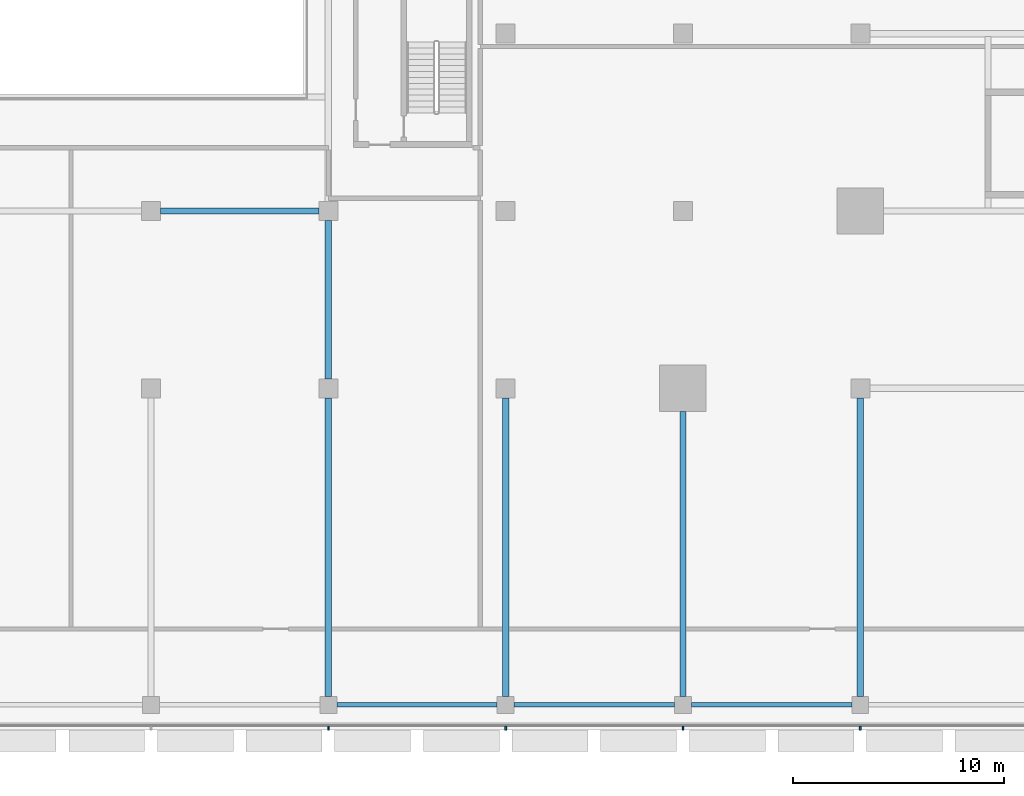
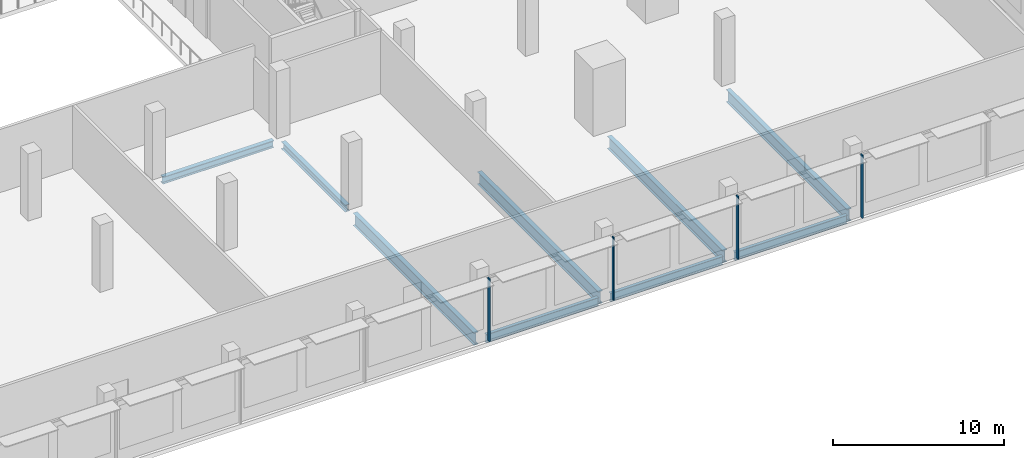
# One storey, part 11 of 39: 9 beams, 4 members, 1 element without a shape of its own.
"""IFC4 building model written with IfcOpenShell, lengths in metres."""

from ifc_helpers import new_model, si_unit, direction, frame, origin, origin_2d, place, context, subcontext, project, spatial, rectangle, i_section, extrude, material, material_profile, profile_set, type_object, element, aggregate, save


model = new_model("IFC4")

# Units and contexts
model_context = context("Model", 3, precision=1e-05, world=origin(), true_north=direction((0.0, 1.0)))
body_context = subcontext(model_context, "Body", "Model", "MODEL_VIEW")
ifc_project = project(units=[si_unit("LENGTHUNIT", "METRE"), si_unit("AREAUNIT", "SQUARE_METRE"), si_unit("VOLUMEUNIT", "CUBIC_METRE"), si_unit("PLANEANGLEUNIT", "RADIAN"), si_unit("MASSUNIT", "GRAM", prefix="KILO")], contexts=[model_context])

# Site, building, storey
site_placement = place(None, origin())
site = spatial("IfcSite", under=ifc_project, at=site_placement, CompositionType="ELEMENT")
building_placement = place(site_placement, origin())
building = spatial("IfcBuilding", under=site, at=building_placement, Name="Saffron Gate Tower", CompositionType="ELEMENT")
storey_placement = place(building_placement, frame((0.0, 0.0, 14.39990234375)))
storey = spatial("IfcBuildingStorey", under=building, at=storey_placement, Name="L02", CompositionType="ELEMENT", Elevation=14.39990234375)

# Beams
ifc_material_1 = material(Name="Structural steel S355", Category="steel")
ifc_material_profile_1 = material_profile(ifc_material_1, i_section(OverallWidth=0.219970703125, OverallDepth=0.60009765625, WebThickness=0.011962890625, FlangeThickness=0.01904296875, FilletRadius=0.02392578125, at=origin_2d()))
ifc_profile_set_1 = profile_set([ifc_material_profile_1], Name="Structural steel S355")
beam_type_1 = type_object("IfcBeamType", Name="B15 IPE 600", PredefinedType="BEAM", material=ifc_profile_set_1)
beam_1_placement = place(storey_placement, frame((100.60009765625, 16.800048828125, -0.599853515625), z_axis=(1.0, 0.0, 0.0), x_axis=(0.0, 1.0, 0.0)))
element("IfcBeam", 1, at=beam_1_placement, inside=storey, type_object=beam_type_1, Name="B15 PODIUM EDGE BEAM", PredefinedType="BEAM", context=body_context, shape_type="SweptSolid", body=[
    extrude(i_section(OverallWidth=0.219970703125, OverallDepth=0.60009765625, WebThickness=0.011962890625, FlangeThickness=0.01904296875, FilletRadius=0.02392578125, at=origin_2d()), origin(), (0.0, 0.0, 1.0), 7.599853515625),
])
for number, where, z_axis, x_axis, name in (
    (2, (109.0, 16.800048828125, -0.599853515625), (1.0, 0.0, 0.0), (0.0, 1.0, 0.0), "B15 PODIUM EDGE BEAM"),
    (3, (117.39990234375, 16.800048828125, -0.599853515625), (1.0, 0.0, 0.0), (0.0, 1.0, 0.0), "B15 PODIUM EDGE BEAM"),
):
    element("IfcBeam", number, at=place(storey_placement, frame(where, z_axis=z_axis, x_axis=x_axis)), inside=storey, type_object=beam_type_1, Name=name, PredefinedType="BEAM", context=body_context, shape_type="SweptSolid", body=[
        extrude(i_section(OverallWidth=0.219970703125, OverallDepth=0.60009765625, WebThickness=0.011962890625, FlangeThickness=0.01904296875, FilletRadius=0.02392578125, at=origin_2d()), origin(), (0.0, 0.0, 1.0), 7.60009765625),
    ])
ifc_material_profile_2 = material_profile(ifc_material_1, i_section(OverallWidth=0.300048828125, OverallDepth=0.889892578125, WebThickness=0.01611328125, FlangeThickness=0.030029296875, FilletRadius=0.030029296875, at=origin_2d()))
ifc_profile_set_2 = profile_set([ifc_material_profile_2], Name="Structural steel S355")
beam_type_2 = type_object("IfcBeamType", Name="B19 HEA 900", PredefinedType="BEAM", material=ifc_profile_set_2)
for number, where, z_axis, x_axis, name in (
    (4, (100.199951171875, 17.199951171875, -0.744873046875), (0.0, 1.0, 0.0), (-1.0, 0.0, 0.0), "B19 PODIUM RING GIRDER"),
    (5, (108.60009765625, 17.199951171875, -0.744873046875), (0.0, 1.0, 0.0), (-1.0, 0.0, 0.0), "B19 PODIUM RING GIRDER"),
):
    element("IfcBeam", number, at=place(storey_placement, frame(where, z_axis=z_axis, x_axis=x_axis)), inside=storey, type_object=beam_type_2, Name=name, PredefinedType="BEAM", context=body_context, shape_type="SweptSolid", body=[
        extrude(i_section(OverallWidth=0.300048828125, OverallDepth=0.889892578125, WebThickness=0.01611328125, FlangeThickness=0.030029296875, FilletRadius=0.030029296875, at=origin_2d()), origin(), (0.0, 0.0, 1.0), 14.150146484375),
    ])
beam_2_placement = place(storey_placement, frame((117.0, 17.199951171875, -0.744873046875), z_axis=(0.0, 1.0, 0.0), x_axis=(-1.0, 0.0, 0.0)))
element("IfcBeam", 6, at=beam_2_placement, inside=storey, type_object=beam_type_2, Name="B19 PODIUM RING GIRDER", PredefinedType="BEAM", context=body_context, shape_type="SweptSolid", body=[
    extrude(i_section(OverallWidth=0.300048828125, OverallDepth=0.889892578125, WebThickness=0.01611328125, FlangeThickness=0.030029296875, FilletRadius=0.030029296875, at=origin_2d()), origin(), (0.0, 0.0, 1.0), 13.5),
])
beam_3_placement = place(storey_placement, frame((125.39990234375, 17.199951171875, -0.744873046875), z_axis=(0.0, 1.0, 0.0), x_axis=(-1.0, 0.0, 0.0)))
element("IfcBeam", 7, at=beam_3_placement, inside=storey, type_object=beam_type_2, Name="B19 PODIUM RING GIRDER", PredefinedType="BEAM", context=body_context, shape_type="SweptSolid", body=[
    extrude(i_section(OverallWidth=0.300048828125, OverallDepth=0.889892578125, WebThickness=0.01611328125, FlangeThickness=0.030029296875, FilletRadius=0.030029296875, at=origin_2d()), origin(), (0.0, 0.0, 1.0), 14.150146484375),
])
ifc_material_profile_3 = material_profile(ifc_material_1, i_section(OverallWidth=0.300048828125, OverallDepth=0.5, WebThickness=0.014404296875, FlangeThickness=0.028076171875, FilletRadius=0.027099609375, at=origin_2d()))
ifc_profile_set_3 = profile_set([ifc_material_profile_3], Name="Structural steel S355")
beam_type_3 = type_object("IfcBeamType", Name="B9 HEB 500", PredefinedType="BEAM", material=ifc_profile_set_3)
for number, where, z_axis, x_axis, name in (
    (8, (100.199951171875, 32.25, -0.5498046875), (0.0, 1.0, 0.0), (-1.0, 0.0, 0.0), "B9 FLOOR GIRDER"),
    (9, (92.25, 40.199951171875, -0.5498046875), (1.0, 0.0, 0.0), (0.0, 1.0, 0.0), "B9 FLOOR GIRDER"),
):
    element("IfcBeam", number, at=place(storey_placement, frame(where, z_axis=z_axis, x_axis=x_axis)), inside=storey, type_object=beam_type_3, Name=name, PredefinedType="BEAM", context=body_context, shape_type="SweptSolid", body=[
        extrude(i_section(OverallWidth=0.300048828125, OverallDepth=0.5, WebThickness=0.014404296875, FlangeThickness=0.028076171875, FilletRadius=0.027099609375, at=origin_2d()), origin(), (0.0, 0.0, 1.0), 7.5),
    ])

# Curtain wall, members
ifc_material_2 = material(Name="Aluminium, bronze anodised", Category="aluminium")
curtain_wall_type = type_object("IfcCurtainWallType", Name="CWS5 curtain wall podium ring base", PredefinedType="NOTDEFINED", material=ifc_material_2)
curtain_wall_placement = place(storey_placement, origin())
curtain_wall = element("IfcCurtainWall", 10, at=curtain_wall_placement, inside=storey, type_object=curtain_wall_type, Name="CWS5 run 1", PredefinedType="NOTDEFINED")
ifc_material_profile_4 = material_profile(ifc_material_2, rectangle(XDim=0.199951171875, YDim=0.080078125, at=origin_2d()))
ifc_profile_set_4 = profile_set([ifc_material_profile_4], Name="Aluminium, bronze anodised")
member_type = type_object("IfcMemberType", Name="CWS5 mullion 80x200", PredefinedType="MULLION", material=ifc_profile_set_4)
member_1_placement = place(storey_placement, frame((100.199951171875, 15.699951171875, 0.0), z_axis=(0.0, 0.0, 1.0), x_axis=(0.0, 1.0, 0.0)))
member_1 = element("IfcMember", 11, at=member_1_placement, type_object=member_type, Name="CWS5 mullion 10", PredefinedType="MULLION", context=body_context, shape_type="SweptSolid", body=[
    extrude(rectangle(XDim=0.199951171875, YDim=0.080078125, at=origin_2d()), origin(), (0.0, 0.0, 1.0), 4.5),
])
member_2_placement = place(storey_placement, frame((108.60009765625, 15.699951171875, 0.0), z_axis=(0.0, 0.0, 1.0), x_axis=(0.0, 1.0, 0.0)))
member_2 = element("IfcMember", 12, at=member_2_placement, type_object=member_type, Name="CWS5 mullion 11", PredefinedType="MULLION", context=body_context, shape_type="SweptSolid", body=[
    extrude(rectangle(XDim=0.199951171875, YDim=0.080078125, at=origin_2d()), origin(), (0.0, 0.0, 1.0), 4.5),
])
member_3_placement = place(storey_placement, frame((117.0, 15.699951171875, 0.0), z_axis=(0.0, 0.0, 1.0), x_axis=(0.0, 1.0, 0.0)))
member_3 = element("IfcMember", 13, at=member_3_placement, type_object=member_type, Name="CWS5 mullion 12", PredefinedType="MULLION", context=body_context, shape_type="SweptSolid", body=[
    extrude(rectangle(XDim=0.199951171875, YDim=0.080078125, at=origin_2d()), origin(), (0.0, 0.0, 1.0), 4.5),
])
member_4_placement = place(storey_placement, frame((125.39990234375, 15.699951171875, 0.0), z_axis=(0.0, 0.0, 1.0), x_axis=(0.0, 1.0, 0.0)))
member_4 = element("IfcMember", 14, at=member_4_placement, type_object=member_type, Name="CWS5 mullion 13", PredefinedType="MULLION", context=body_context, shape_type="SweptSolid", body=[
    extrude(rectangle(XDim=0.199951171875, YDim=0.080078125, at=origin_2d()), origin(), (0.0, 0.0, 1.0), 4.5),
])
aggregate(curtain_wall, [member_1, member_2, member_3, member_4])

save(model, "model.ifc")
